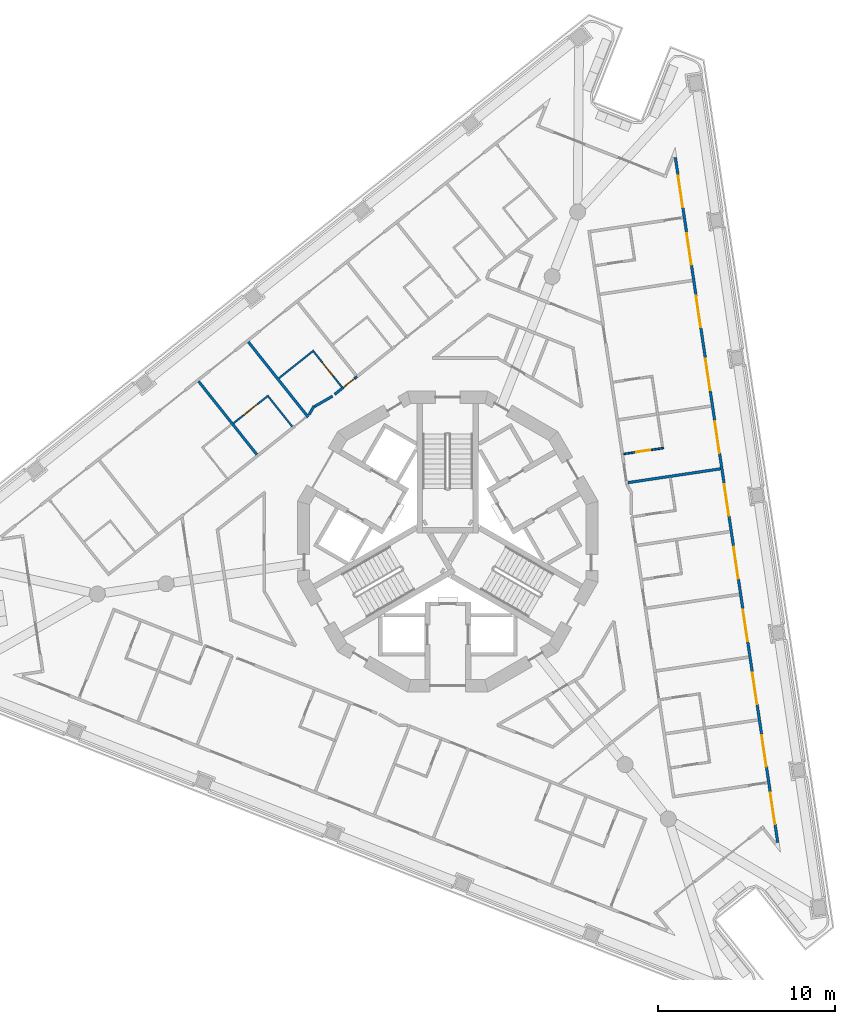
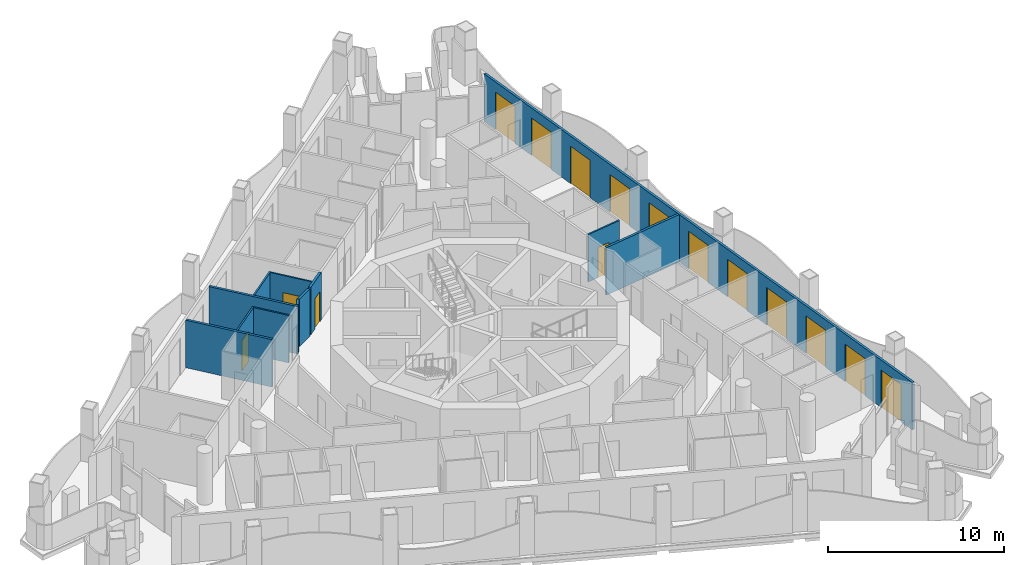
# One storey, part 7 of 17: 15 doors, 12 walls, 15 openings.
"""IFC4 building model written with IfcOpenShell, lengths in metres."""

from ifc_helpers import new_model, si_unit, direction, frame, frame_2d, origin, place, context, subcontext, project, spatial, polyline, rectangle, outline, extrude, material, layer, layer_set, type_object, element, fill, save


model = new_model("IFC4")

# Units and contexts
model_context = context("Model", 3, precision=1e-05, world=origin(), true_north=direction((0.0, 1.0)))
body_context = subcontext(model_context, "Body", "Model", "MODEL_VIEW")
ifc_project = project(units=[si_unit("LENGTHUNIT", "METRE"), si_unit("AREAUNIT", "SQUARE_METRE"), si_unit("VOLUMEUNIT", "CUBIC_METRE"), si_unit("PLANEANGLEUNIT", "RADIAN"), si_unit("MASSUNIT", "GRAM", prefix="KILO")], contexts=[model_context])

# Site, building, storey
site_placement = place(None, origin())
site = spatial("IfcSite", under=ifc_project, at=site_placement, CompositionType="ELEMENT")
building_placement = place(site_placement, origin())
building = spatial("IfcBuilding", under=site, at=building_placement, Name="Trine Commons Tower", CompositionType="ELEMENT")
storey_placement = place(building_placement, frame((0.0, 0.0, 208.800048828125)))
storey = spatial("IfcBuildingStorey", under=building, at=storey_placement, Name="L54", CompositionType="ELEMENT", Elevation=208.800048828125)

# Wall, openings, doors
ifc_material_1 = material(Name="Aluminium-framed insulated wall panel", Category="aluminium")
ifc_layer_1 = layer(ifc_material_1, 0.14990234375)
ifc_layer_set_1 = layer_set([ifc_layer_1], Name="Aluminium-framed insulated wall panel")
wall_type_1 = type_object("IfcWallType", Name="Glazed frame wall 150, EI 60", PredefinedType="SOLIDWALL", material=ifc_layer_set_1)
wall_1_placement = place(storey_placement, frame((92.835205078125, 84.3603515625, 0.0), z_axis=(0.0, 0.0, 1.0), x_axis=(0.147810490781, -0.989015702006, 0.0)))
wall_1 = element("IfcWall", 1, at=wall_1_placement, inside=storey, type_object=wall_type_1, Name="Glazed frame wall F2", PredefinedType="SOLIDWALL", context=body_context, shape_type="SweptSolid", body=[
    extrude(outline(polyline([(0.1494140625, 0.074951171875), (0.1494140625, -0.074951171875), (39.296875, -0.074951171875), (39.296875, 0.074951171875), (0.1494140625, 0.074951171875)])), origin(), (0.0, 0.0, 1.0), 3.300048828125),
])
opening_1_placement = place(wall_1_placement, frame((1.193115234375, 0.0, 0.0)))
opening_1 = element("IfcOpeningElement", 2, at=opening_1_placement, cuts=wall_1, Name="Opening BD-6F2-01", PredefinedType="OPENING", context=body_context, shape_type="SweptSolid", body=[
    extrude(rectangle(XDim=1.800048828125, YDim=2.60009765625, at=frame_2d((0.89990234375, 1.300048828125))), frame((0.0, 0.0849609375, 0.0), z_axis=(0.0, -1.0, 0.0), x_axis=(1.0, 0.0, 0.0)), (0.0, 0.0, 1.0), 0.169921875),
])
opening_2_placement = place(wall_1_placement, frame((4.47900390625, 0.0, 0.0)))
opening_2 = element("IfcOpeningElement", 3, at=opening_2_placement, cuts=wall_1, Name="Opening BD-6F2-02", PredefinedType="OPENING", context=body_context, shape_type="SweptSolid", body=[
    extrude(rectangle(XDim=1.800048828125, YDim=2.60009765625, at=frame_2d((0.89990234375, 1.300048828125))), frame((0.0, 0.0849609375, 0.0), z_axis=(0.0, -1.0, 0.0), x_axis=(1.0, 0.0, 0.0)), (0.0, 0.0, 1.0), 0.169921875),
])
opening_3_placement = place(wall_1_placement, frame((8.06494140625, 0.0, 0.0)))
opening_3 = element("IfcOpeningElement", 4, at=opening_3_placement, cuts=wall_1, Name="Opening BD-6F2-03", PredefinedType="OPENING", context=body_context, shape_type="SweptSolid", body=[
    extrude(rectangle(XDim=1.800048828125, YDim=2.60009765625, at=frame_2d((0.89990234375, 1.300048828125))), frame((0.0, 0.0849609375, 0.0), z_axis=(0.0, -1.0, 0.0), x_axis=(1.0, 0.0, 0.0)), (0.0, 0.0, 1.0), 0.169921875),
])
opening_4_placement = place(wall_1_placement, frame((11.65087890625, 0.0, 0.0)))
opening_4 = element("IfcOpeningElement", 5, at=opening_4_placement, cuts=wall_1, Name="Opening BD-6F2-04", PredefinedType="OPENING", context=body_context, shape_type="SweptSolid", body=[
    extrude(rectangle(XDim=1.800048828125, YDim=2.60009765625, at=frame_2d((0.89990234375, 1.300048828125))), frame((0.0, 0.0849609375, 0.0), z_axis=(0.0, -1.0, 0.0), x_axis=(1.0, 0.0, 0.0)), (0.0, 0.0, 1.0), 0.169921875),
])
opening_5_placement = place(wall_1_placement, frame((15.237060546875, 0.0, 0.0)))
opening_5 = element("IfcOpeningElement", 6, at=opening_5_placement, cuts=wall_1, Name="Opening BD-6F2-05", PredefinedType="OPENING", context=body_context, shape_type="SweptSolid", body=[
    extrude(rectangle(XDim=1.800048828125, YDim=2.60009765625, at=frame_2d((0.89990234375, 1.300048828125))), frame((0.0, 0.0849609375, 0.0), z_axis=(0.0, -1.0, 0.0), x_axis=(1.0, 0.0, 0.0)), (0.0, 0.0, 1.0), 0.169921875),
])
opening_6_placement = place(wall_1_placement, frame((18.822998046875, 0.0, 0.0)))
opening_6 = element("IfcOpeningElement", 7, at=opening_6_placement, cuts=wall_1, Name="Opening BD-6F2-06", PredefinedType="OPENING", context=body_context, shape_type="SweptSolid", body=[
    extrude(rectangle(XDim=1.800048828125, YDim=2.60009765625, at=frame_2d((0.89990234375, 1.300048828125))), frame((0.0, 0.0849609375, 0.0), z_axis=(0.0, -1.0, 0.0), x_axis=(1.0, 0.0, 0.0)), (0.0, 0.0, 1.0), 0.169921875),
])
opening_7_placement = place(wall_1_placement, frame((22.408935546875, 0.0, 0.0)))
opening_7 = element("IfcOpeningElement", 8, at=opening_7_placement, cuts=wall_1, Name="Opening BD-6F2-07", PredefinedType="OPENING", context=body_context, shape_type="SweptSolid", body=[
    extrude(rectangle(XDim=1.800048828125, YDim=2.60009765625, at=frame_2d((0.89990234375, 1.300048828125))), frame((0.0, 0.0849609375, 0.0), z_axis=(0.0, -1.0, 0.0), x_axis=(1.0, 0.0, 0.0)), (0.0, 0.0, 1.0), 0.169921875),
])
opening_8_placement = place(wall_1_placement, frame((25.9951171875, 0.0, 0.0)))
opening_8 = element("IfcOpeningElement", 9, at=opening_8_placement, cuts=wall_1, Name="Opening BD-6F2-08", PredefinedType="OPENING", context=body_context, shape_type="SweptSolid", body=[
    extrude(rectangle(XDim=1.800048828125, YDim=2.60009765625, at=frame_2d((0.89990234375, 1.300048828125))), frame((0.0, 0.0849609375, 0.0), z_axis=(0.0, -1.0, 0.0), x_axis=(1.0, 0.0, 0.0)), (0.0, 0.0, 1.0), 0.169921875),
])
opening_9_placement = place(wall_1_placement, frame((29.5810546875, 0.0, 0.0)))
opening_9 = element("IfcOpeningElement", 10, at=opening_9_placement, cuts=wall_1, Name="Opening BD-6F2-09", PredefinedType="OPENING", context=body_context, shape_type="SweptSolid", body=[
    extrude(rectangle(XDim=1.800048828125, YDim=2.60009765625, at=frame_2d((0.89990234375, 1.300048828125))), frame((0.0, 0.0849609375, 0.0), z_axis=(0.0, -1.0, 0.0), x_axis=(1.0, 0.0, 0.0)), (0.0, 0.0, 1.0), 0.169921875),
])
opening_10_placement = place(wall_1_placement, frame((33.1669921875, 0.0, 0.0)))
opening_10 = element("IfcOpeningElement", 11, at=opening_10_placement, cuts=wall_1, Name="Opening BD-6F2-10", PredefinedType="OPENING", context=body_context, shape_type="SweptSolid", body=[
    extrude(rectangle(XDim=1.800048828125, YDim=2.60009765625, at=frame_2d((0.89990234375, 1.300048828125))), frame((0.0, 0.0849609375, 0.0), z_axis=(0.0, -1.0, 0.0), x_axis=(1.0, 0.0, 0.0)), (0.0, 0.0, 1.0), 0.169921875),
])
opening_11_placement = place(wall_1_placement, frame((36.452880859375, 0.0, 0.0)))
opening_11 = element("IfcOpeningElement", 12, at=opening_11_placement, cuts=wall_1, Name="Opening BD-6F2-11", PredefinedType="OPENING", context=body_context, shape_type="SweptSolid", body=[
    extrude(rectangle(XDim=1.800048828125, YDim=2.60009765625, at=frame_2d((0.89990234375, 1.300048828125))), frame((0.0, 0.0849609375, 0.0), z_axis=(0.0, -1.0, 0.0), x_axis=(1.0, 0.0, 0.0)), (0.0, 0.0, 1.0), 0.169921875),
])
ifc_material_2 = material(Name="Anodised aluminium frame with double glazing", Category="aluminium")
door_type_1 = type_object("IfcDoorType", Name="Sliding loggia door 1800x2600", OperationType="SLIDING_TO_LEFT", PredefinedType="DOOR", material=ifc_material_2)
door_1_placement = place(opening_1_placement, origin())
door_1 = element("IfcDoor", 13, at=door_1_placement, inside=storey, type_object=door_type_1, Name="Loggia door F2 1", OperationType="SLIDING_TO_LEFT", OverallHeight=2.60009765625, OverallWidth=1.800048828125, PredefinedType="DOOR", context=body_context, shape_type="SweptSolid", body=[
    extrude(rectangle(XDim=1.800048828125, YDim=2.60009765625, at=frame_2d((0.89990234375, 1.300048828125))), frame((0.0, 0.02490234375, 0.0), z_axis=(0.0, -1.0, 0.0), x_axis=(1.0, 0.0, 0.0)), (0.0, 0.0, 1.0), 0.050048828125),
])
fill(opening_1, door_1)
door_2_placement = place(opening_2_placement, origin())
door_2 = element("IfcDoor", 14, at=door_2_placement, inside=storey, type_object=door_type_1, Name="Loggia door F2 2", OperationType="SLIDING_TO_LEFT", OverallHeight=2.60009765625, OverallWidth=1.800048828125, PredefinedType="DOOR", context=body_context, shape_type="SweptSolid", body=[
    extrude(rectangle(XDim=1.800048828125, YDim=2.60009765625, at=frame_2d((0.89990234375, 1.300048828125))), frame((0.0, 0.02490234375, 0.0), z_axis=(0.0, -1.0, 0.0), x_axis=(1.0, 0.0, 0.0)), (0.0, 0.0, 1.0), 0.050048828125),
])
fill(opening_2, door_2)
door_3_placement = place(opening_3_placement, origin())
door_3 = element("IfcDoor", 15, at=door_3_placement, inside=storey, type_object=door_type_1, Name="Loggia door F2 3", OperationType="SLIDING_TO_LEFT", OverallHeight=2.60009765625, OverallWidth=1.800048828125, PredefinedType="DOOR", context=body_context, shape_type="SweptSolid", body=[
    extrude(rectangle(XDim=1.800048828125, YDim=2.60009765625, at=frame_2d((0.89990234375, 1.300048828125))), frame((0.0, 0.02490234375, 0.0), z_axis=(0.0, -1.0, 0.0), x_axis=(1.0, 0.0, 0.0)), (0.0, 0.0, 1.0), 0.050048828125),
])
fill(opening_3, door_3)
door_4_placement = place(opening_4_placement, origin())
door_4 = element("IfcDoor", 16, at=door_4_placement, inside=storey, type_object=door_type_1, Name="Loggia door F2 4", OperationType="SLIDING_TO_LEFT", OverallHeight=2.60009765625, OverallWidth=1.800048828125, PredefinedType="DOOR", context=body_context, shape_type="SweptSolid", body=[
    extrude(rectangle(XDim=1.800048828125, YDim=2.60009765625, at=frame_2d((0.89990234375, 1.300048828125))), frame((0.0, 0.02490234375, 0.0), z_axis=(0.0, -1.0, 0.0), x_axis=(1.0, 0.0, 0.0)), (0.0, 0.0, 1.0), 0.050048828125),
])
fill(opening_4, door_4)
door_5_placement = place(opening_5_placement, origin())
door_5 = element("IfcDoor", 17, at=door_5_placement, inside=storey, type_object=door_type_1, Name="Loggia door F2 5", OperationType="SLIDING_TO_LEFT", OverallHeight=2.60009765625, OverallWidth=1.800048828125, PredefinedType="DOOR", context=body_context, shape_type="SweptSolid", body=[
    extrude(rectangle(XDim=1.800048828125, YDim=2.60009765625, at=frame_2d((0.89990234375, 1.300048828125))), frame((0.0, 0.02490234375, 0.0), z_axis=(0.0, -1.0, 0.0), x_axis=(1.0, 0.0, 0.0)), (0.0, 0.0, 1.0), 0.050048828125),
])
fill(opening_5, door_5)
door_6_placement = place(opening_6_placement, origin())
door_6 = element("IfcDoor", 18, at=door_6_placement, inside=storey, type_object=door_type_1, Name="Loggia door F2 6", OperationType="SLIDING_TO_LEFT", OverallHeight=2.60009765625, OverallWidth=1.800048828125, PredefinedType="DOOR", context=body_context, shape_type="SweptSolid", body=[
    extrude(rectangle(XDim=1.800048828125, YDim=2.60009765625, at=frame_2d((0.89990234375, 1.300048828125))), frame((0.0, 0.02490234375, 0.0), z_axis=(0.0, -1.0, 0.0), x_axis=(1.0, 0.0, 0.0)), (0.0, 0.0, 1.0), 0.050048828125),
])
fill(opening_6, door_6)
door_7_placement = place(opening_7_placement, origin())
door_7 = element("IfcDoor", 19, at=door_7_placement, inside=storey, type_object=door_type_1, Name="Loggia door F2 7", OperationType="SLIDING_TO_LEFT", OverallHeight=2.60009765625, OverallWidth=1.800048828125, PredefinedType="DOOR", context=body_context, shape_type="SweptSolid", body=[
    extrude(rectangle(XDim=1.800048828125, YDim=2.60009765625, at=frame_2d((0.89990234375, 1.300048828125))), frame((0.0, 0.02490234375, 0.0), z_axis=(0.0, -1.0, 0.0), x_axis=(1.0, 0.0, 0.0)), (0.0, 0.0, 1.0), 0.050048828125),
])
fill(opening_7, door_7)
door_8_placement = place(opening_8_placement, origin())
door_8 = element("IfcDoor", 20, at=door_8_placement, inside=storey, type_object=door_type_1, Name="Loggia door F2 8", OperationType="SLIDING_TO_LEFT", OverallHeight=2.60009765625, OverallWidth=1.800048828125, PredefinedType="DOOR", context=body_context, shape_type="SweptSolid", body=[
    extrude(rectangle(XDim=1.800048828125, YDim=2.60009765625, at=frame_2d((0.89990234375, 1.300048828125))), frame((0.0, 0.02490234375, 0.0), z_axis=(0.0, -1.0, 0.0), x_axis=(1.0, 0.0, 0.0)), (0.0, 0.0, 1.0), 0.050048828125),
])
fill(opening_8, door_8)
door_9_placement = place(opening_9_placement, origin())
door_9 = element("IfcDoor", 21, at=door_9_placement, inside=storey, type_object=door_type_1, Name="Loggia door F2 9", OperationType="SLIDING_TO_LEFT", OverallHeight=2.60009765625, OverallWidth=1.800048828125, PredefinedType="DOOR", context=body_context, shape_type="SweptSolid", body=[
    extrude(rectangle(XDim=1.800048828125, YDim=2.60009765625, at=frame_2d((0.89990234375, 1.300048828125))), frame((0.0, 0.02490234375, 0.0), z_axis=(0.0, -1.0, 0.0), x_axis=(1.0, 0.0, 0.0)), (0.0, 0.0, 1.0), 0.050048828125),
])
fill(opening_9, door_9)
door_10_placement = place(opening_10_placement, origin())
door_10 = element("IfcDoor", 22, at=door_10_placement, inside=storey, type_object=door_type_1, Name="Loggia door F2 10", OperationType="SLIDING_TO_LEFT", OverallHeight=2.60009765625, OverallWidth=1.800048828125, PredefinedType="DOOR", context=body_context, shape_type="SweptSolid", body=[
    extrude(rectangle(XDim=1.800048828125, YDim=2.60009765625, at=frame_2d((0.89990234375, 1.300048828125))), frame((0.0, 0.02490234375, 0.0), z_axis=(0.0, -1.0, 0.0), x_axis=(1.0, 0.0, 0.0)), (0.0, 0.0, 1.0), 0.050048828125),
])
fill(opening_10, door_10)
door_11_placement = place(opening_11_placement, origin())
door_11 = element("IfcDoor", 23, at=door_11_placement, inside=storey, type_object=door_type_1, Name="Loggia door F2 11", OperationType="SLIDING_TO_LEFT", OverallHeight=2.60009765625, OverallWidth=1.800048828125, PredefinedType="DOOR", context=body_context, shape_type="SweptSolid", body=[
    extrude(rectangle(XDim=1.800048828125, YDim=2.60009765625, at=frame_2d((0.89990234375, 1.300048828125))), frame((0.0, 0.02490234375, 0.0), z_axis=(0.0, -1.0, 0.0), x_axis=(1.0, 0.0, 0.0)), (0.0, 0.0, 1.0), 0.050048828125),
])
fill(opening_11, door_11)

# Walls
ifc_material_3 = material(Name="Gypsum plasterboard on steel stud", Category="steel")
ifc_layer_2 = layer(ifc_material_3, 0.14990234375)
ifc_layer_set_2 = layer_set([ifc_layer_2], Name="Gypsum plasterboard on steel stud")
wall_type_2 = type_object("IfcWallType", Name="Unit and corridor wall 150 mm, EI 60", PredefinedType="PARTITIONING", material=ifc_layer_set_2)
wall_2_placement = place(storey_placement, frame((65.9228515625, 71.5556640625, 0.0), z_axis=(0.0, 0.0, 1.0), x_axis=(0.622585933561, -0.782551439416, 0.0)))
element("IfcWall", 24, at=wall_2_placement, inside=storey, type_object=wall_type_2, Name="Partition 019", PredefinedType="PARTITIONING", context=body_context, shape_type="SweptSolid", body=[
    extrude(rectangle(XDim=5.28515625, YDim=0.14990234375, at=frame_2d((2.642578125, 0.0))), origin(), (0.0, 0.0, 1.0), 3.300048828125),
])
wall_3_placement = place(storey_placement, frame((68.72998046875, 73.788818359375, 0.0), z_axis=(0.0, 0.0, 1.0), x_axis=(0.622457280045, -0.782653776915, 0.0)))
element("IfcWall", 25, at=wall_3_placement, inside=storey, type_object=wall_type_2, Name="Partition 030", PredefinedType="PARTITIONING", context=body_context, shape_type="SweptSolid", body=[
    extrude(rectangle(XDim=5.4345703125, YDim=0.14990234375, at=frame_2d((2.71728515625, 0.0))), origin(), (0.0, 0.0, 1.0), 3.300048828125),
])
wall_4_placement = place(storey_placement, frame((72.152099609375, 69.656005859375, 0.0), z_axis=(0.0, 0.0, 1.0), x_axis=(0.499165076137, 0.866506910973, 0.0)))
element("IfcWall", 26, at=wall_4_placement, inside=storey, type_object=wall_type_2, Name="Partition 040", PredefinedType="PARTITIONING", context=body_context, shape_type="SweptSolid", body=[
    extrude(rectangle(XDim=0.58154296875, YDim=0.14990234375, at=frame_2d((0.290771484375, 0.0))), origin(), (0.0, 0.0, 1.0), 3.300048828125),
])
wall_5_placement = place(storey_placement, frame((72.469970703125, 70.132568359375, 0.0), z_axis=(0.0, 0.0, 1.0), x_axis=(0.865861083349, 0.5002845034, 0.0)))
element("IfcWall", 27, at=wall_5_placement, inside=storey, type_object=wall_type_2, Name="Partition 042", PredefinedType="PARTITIONING", context=body_context, shape_type="SweptSolid", body=[
    extrude(rectangle(XDim=1.177978515625, YDim=0.14990234375, at=frame_2d((0.5888671875, 0.0))), origin(), (0.0, 0.0, 1.0), 3.300048828125),
])

# Wall, opening, door
wall_6_placement = place(storey_placement, frame((73.60302734375, 70.81591796875, 0.0), z_axis=(0.0, 0.0, 1.0), x_axis=(0.782783875515, 0.622293663983, 0.0)))
wall_6 = element("IfcWall", 28, at=wall_6_placement, inside=storey, type_object=wall_type_2, Name="Partition 045", PredefinedType="PARTITIONING", context=body_context, shape_type="SweptSolid", body=[
    extrude(rectangle(XDim=1.626220703125, YDim=0.14990234375, at=frame_2d((0.81298828125, 0.0))), origin(), (0.0, 0.0, 1.0), 3.300048828125),
])
opening_12_placement = place(wall_6_placement, frame((0.636474609375, 0.0, 0.0)))
opening_12 = element("IfcOpeningElement", 29, at=opening_12_placement, cuts=wall_6, Name="Opening D-6B08", PredefinedType="OPENING", context=body_context, shape_type="SweptSolid", body=[
    extrude(rectangle(XDim=0.800048828125, YDim=2.10009765625, at=frame_2d((0.39990234375, 1.050048828125))), frame((0.0, 0.0849609375, 0.0), z_axis=(0.0, -1.0, 0.0), x_axis=(1.0, 0.0, 0.0)), (0.0, 0.0, 1.0), 0.169921875),
])
ifc_material_4 = material(Name="Timber fire door set", Category="wood")
door_type_2 = type_object("IfcDoorType", Name="Bedroom door 800 x 2100, FD30S", OperationType="NOTDEFINED", PredefinedType="DOOR", material=ifc_material_4)
door_12_placement = place(opening_12_placement, origin())
door_12 = element("IfcDoor", 30, at=door_12_placement, inside=storey, type_object=door_type_2, Name="Door D-6B08", OperationType="SINGLE_SWING_RIGHT", OverallHeight=2.10009765625, OverallWidth=0.800048828125, PredefinedType="DOOR", context=body_context, shape_type="SweptSolid", body=[
    extrude(rectangle(XDim=0.800048828125, YDim=2.10009765625, at=frame_2d((0.39990234375, 1.050048828125))), frame((0.0, 0.02490234375, 0.0), z_axis=(0.0, -1.0, 0.0), x_axis=(1.0, 0.0, 0.0)), (0.0, 0.0, 1.0), 0.050048828125),
])
fill(opening_12, door_12)

# Wall
wall_7_placement = place(storey_placement, frame((90.18408203125, 65.835205078125, 0.0), z_axis=(0.0, 0.0, 1.0), x_axis=(0.98902190879, 0.147768954566, 0.0)))
element("IfcWall", 31, at=wall_7_placement, inside=storey, type_object=wall_type_2, Name="Partition 120", PredefinedType="PARTITIONING", context=body_context, shape_type="SweptSolid", body=[
    extrude(rectangle(XDim=5.285400390625, YDim=0.14990234375, at=frame_2d((2.642578125, 0.0))), origin(), (0.0, 0.0, 1.0), 3.300048828125),
])

# Wall, opening, door
ifc_layer_3 = layer(ifc_material_3, 0.10009765625)
ifc_layer_set_3 = layer_set([ifc_layer_3], Name="Gypsum plasterboard on steel stud")
wall_type_3 = type_object("IfcWallType", Name="Unit partition 100 mm, no rating", PredefinedType="PARTITIONING", material=ifc_layer_set_3)
wall_8_placement = place(storey_placement, frame((67.899658203125, 69.192626953125, 0.0), z_axis=(0.0, 0.0, 1.0), x_axis=(0.78255500256, 0.622581454886, 0.0)))
wall_8 = element("IfcWall", 32, at=wall_8_placement, inside=storey, type_object=wall_type_3, Name="Partition 028", PredefinedType="PARTITIONING", context=body_context, shape_type="SweptSolid", body=[
    extrude(rectangle(XDim=2.524169921875, YDim=0.10009765625, at=frame_2d((1.26220703125, 0.0))), origin(), (0.0, 0.0, 1.0), 3.300048828125),
])
opening_13_placement = place(wall_8_placement, frame((0.737060546875, 0.0, 0.0)))
opening_13 = element("IfcOpeningElement", 33, at=opening_13_placement, cuts=wall_8, Name="Opening D-6B37", PredefinedType="OPENING", context=body_context, shape_type="SweptSolid", body=[
    extrude(rectangle(XDim=1.0, YDim=2.10009765625, at=frame_2d((0.5, 1.050048828125))), frame((0.0, 0.06005859375, 0.0), z_axis=(0.0, -1.0, 0.0), x_axis=(1.0, 0.0, 0.0)), (0.0, 0.0, 1.0), 0.1201171875),
])
ifc_material_5 = material(Name="Painted timber", Category="wood")
door_type_3 = type_object("IfcDoorType", Name="Internal door 1000 x 2100, NOT RATED", OperationType="NOTDEFINED", PredefinedType="DOOR", material=ifc_material_5)
door_13_placement = place(opening_13_placement, origin())
door_13 = element("IfcDoor", 34, at=door_13_placement, inside=storey, type_object=door_type_3, Name="Door D-6B37", OperationType="SINGLE_SWING_LEFT", OverallHeight=2.10009765625, OverallWidth=1.0, PredefinedType="DOOR", context=body_context, shape_type="SweptSolid", body=[
    extrude(rectangle(XDim=1.0, YDim=2.10009765625, at=frame_2d((0.5, 1.050048828125))), frame((0.0, 0.02490234375, 0.0), z_axis=(0.0, -1.0, 0.0), x_axis=(1.0, 0.0, 0.0)), (0.0, 0.0, 1.0), 0.050048828125),
])
fill(opening_13, door_13)

# Walls
wall_9_placement = place(storey_placement, frame((69.8671875, 70.69384765625, 0.0), z_axis=(0.0, 0.0, 1.0), x_axis=(0.622772700452, -0.782402814139, 0.0)))
element("IfcWall", 35, at=wall_9_placement, inside=storey, type_object=wall_type_3, Name="Partition 034", PredefinedType="PARTITIONING", context=body_context, shape_type="SweptSolid", body=[
    extrude(rectangle(XDim=2.155029296875, YDim=0.10009765625, at=frame_2d((1.07763671875, 0.0))), origin(), (0.0, 0.0, 1.0), 3.300048828125),
])
wall_10_placement = place(storey_placement, frame((70.459716796875, 71.734619140625, 0.0), z_axis=(0.0, 0.0, 1.0), x_axis=(0.78255500256, 0.622581454886, 0.0)))
element("IfcWall", 36, at=wall_10_placement, inside=storey, type_object=wall_type_3, Name="Partition 035", PredefinedType="PARTITIONING", context=body_context, shape_type="SweptSolid", body=[
    extrude(rectangle(XDim=2.524169921875, YDim=0.10009765625, at=frame_2d((1.26220703125, 0.0))), origin(), (0.0, 0.0, 1.0), 3.300048828125),
])

# Wall, opening, door
wall_11_placement = place(storey_placement, frame((72.427001953125, 73.23583984375, 0.0), z_axis=(0.0, 0.0, 1.0), x_axis=(0.62266210395, -0.782490833368, 0.0)))
wall_11 = element("IfcWall", 37, at=wall_11_placement, inside=storey, type_object=wall_type_3, Name="Partition 041", PredefinedType="PARTITIONING", context=body_context, shape_type="SweptSolid", body=[
    extrude(rectangle(XDim=2.551025390625, YDim=0.10009765625, at=frame_2d((1.275390625, 0.0))), origin(), (0.0, 0.0, 1.0), 3.300048828125),
])
opening_14_placement = place(wall_11_placement, frame((0.775390625, 0.0, 0.0)))
opening_14 = element("IfcOpeningElement", 38, at=opening_14_placement, cuts=wall_11, Name="Opening D-6B38", PredefinedType="OPENING", context=body_context, shape_type="SweptSolid", body=[
    extrude(rectangle(XDim=1.0, YDim=2.10009765625, at=frame_2d((0.5, 1.050048828125))), frame((0.0, 0.06005859375, 0.0), z_axis=(0.0, -1.0, 0.0), x_axis=(1.0, 0.0, 0.0)), (0.0, 0.0, 1.0), 0.1201171875),
])
door_14_placement = place(opening_14_placement, origin())
door_14 = element("IfcDoor", 39, at=door_14_placement, inside=storey, type_object=door_type_3, Name="Door D-6B38", OperationType="SINGLE_SWING_LEFT", OverallHeight=2.10009765625, OverallWidth=1.0, PredefinedType="DOOR", context=body_context, shape_type="SweptSolid", body=[
    extrude(rectangle(XDim=1.0, YDim=2.10009765625, at=frame_2d((0.5, 1.050048828125))), frame((0.0, 0.02490234375, 0.0), z_axis=(0.0, -1.0, 0.0), x_axis=(1.0, 0.0, 0.0)), (0.0, 0.0, 1.0), 0.050048828125),
])
fill(opening_14, door_14)

wall_12_placement = place(storey_placement, frame((89.942138671875, 67.453125, 0.0), z_axis=(0.0, 0.0, 1.0), x_axis=(0.989023546454, 0.147757993216, 0.0)))
wall_12 = element("IfcWall", 40, at=wall_12_placement, inside=storey, type_object=wall_type_3, Name="Partition 118", PredefinedType="PARTITIONING", context=body_context, shape_type="SweptSolid", body=[
    extrude(rectangle(XDim=2.275146484375, YDim=0.10009765625, at=frame_2d((1.1376953125, 0.0))), origin(), (0.0, 0.0, 1.0), 3.300048828125),
])
opening_15_placement = place(wall_12_placement, frame((0.712646484375, 0.0, 0.0)))
opening_15 = element("IfcOpeningElement", 41, at=opening_15_placement, cuts=wall_12, Name="Opening D-6B45", PredefinedType="OPENING", context=body_context, shape_type="SweptSolid", body=[
    extrude(rectangle(XDim=0.800048828125, YDim=2.10009765625, at=frame_2d((0.39990234375, 1.050048828125))), frame((0.0, 0.06005859375, 0.0), z_axis=(0.0, -1.0, 0.0), x_axis=(1.0, 0.0, 0.0)), (0.0, 0.0, 1.0), 0.1201171875),
])
door_type_4 = type_object("IfcDoorType", Name="Internal door 800 x 2100, NOT RATED", OperationType="NOTDEFINED", PredefinedType="DOOR", material=ifc_material_5)
door_15_placement = place(opening_15_placement, frame((0.800048828125, 0.0, 0.0), z_axis=(0.0, 0.0, 1.0), x_axis=(-1.0, 0.0, 0.0)))
door_15 = element("IfcDoor", 42, at=door_15_placement, inside=storey, type_object=door_type_4, Name="Door D-6B45", OperationType="SINGLE_SWING_RIGHT", OverallHeight=2.10009765625, OverallWidth=0.800048828125, PredefinedType="DOOR", context=body_context, shape_type="SweptSolid", body=[
    extrude(rectangle(XDim=0.800048828125, YDim=2.10009765625, at=frame_2d((0.39990234375, 1.050048828125))), frame((0.0, 0.02490234375, 0.0), z_axis=(0.0, -1.0, 0.0), x_axis=(1.0, 0.0, 0.0)), (0.0, 0.0, 1.0), 0.050048828125),
])
fill(opening_15, door_15)

save(model, "model.ifc")
